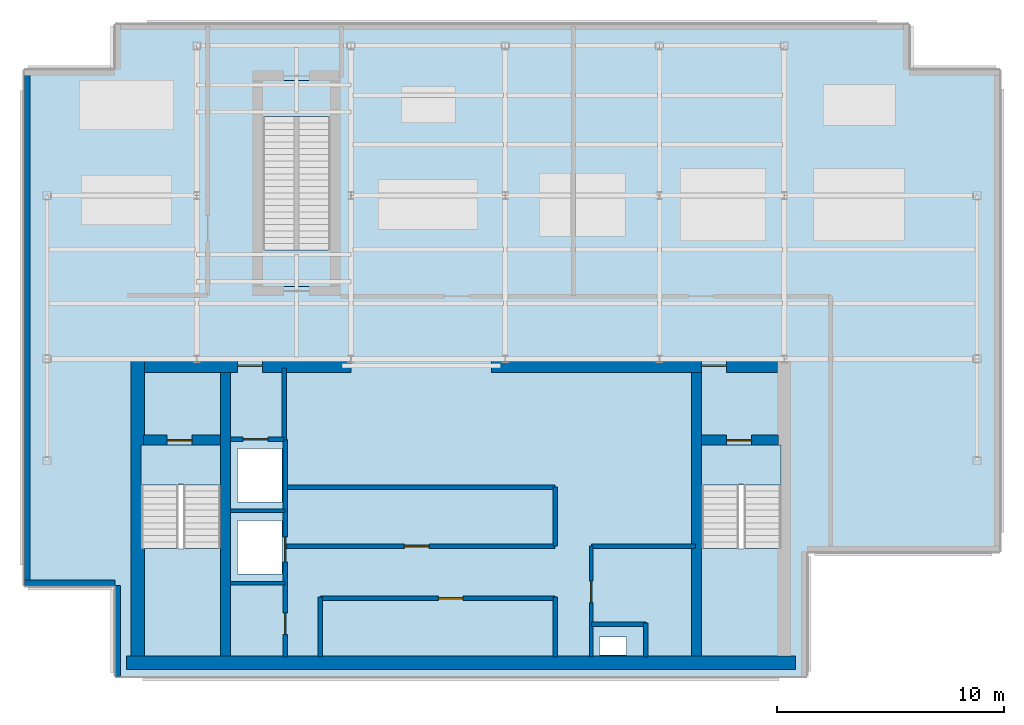
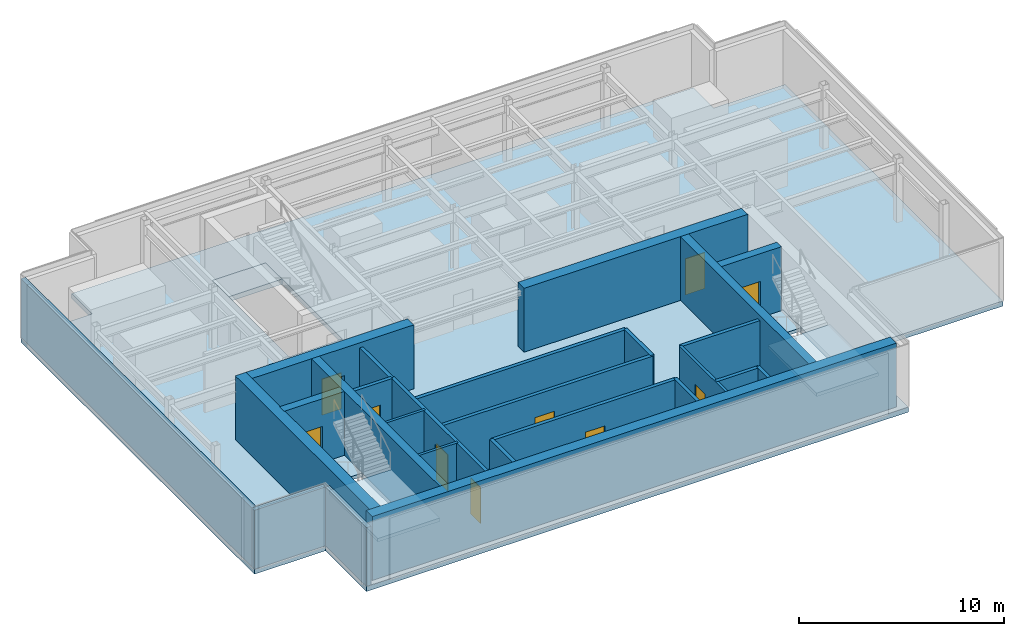
# One storey, part 2 of 7: 26 walls, 10 doors, 7 slabs, 10 openings, 2 elements without a shape of their own.
"""IFC4 building model written with IfcOpenShell, lengths in metres."""

from ifc_helpers import new_model, si_unit, derived_unit, direction, frame, frame_2d, origin, place, context, subcontext, project, spatial, polyline, rectangle, outline, extrude, source, transform, mapped, material, layer, layer_set, type_object, element, fill, aggregate, save


model = new_model("IFC4")

# Units and contexts
model_context = context("Model", 3, precision=1e-05, world=origin(), true_north=direction((0.0, 1.0)))
body_context = subcontext(model_context, "Body", "Model", "MODEL_VIEW")
ifc_project = project(units=[si_unit("LENGTHUNIT", "METRE"), si_unit("AREAUNIT", "SQUARE_METRE"), si_unit("VOLUMEUNIT", "CUBIC_METRE"), si_unit("PLANEANGLEUNIT", "RADIAN"), si_unit("MASSUNIT", "GRAM", prefix="KILO"), derived_unit("THERMALTRANSMITTANCEUNIT", [(si_unit("POWERUNIT", "WATT"), 1), (si_unit("LENGTHUNIT", "METRE"), -2), (si_unit("THERMODYNAMICTEMPERATUREUNIT", "KELVIN"), -1)])], contexts=[model_context])

# Site, building, storey
site_placement = place(None, origin())
site = spatial("IfcSite", under=ifc_project, at=site_placement, CompositionType="ELEMENT")
building_placement = place(site_placement, origin())
building = spatial("IfcBuilding", under=site, at=building_placement, Name="Skarnbrae Concourse Arena and Tower", CompositionType="ELEMENT")
storey_placement = place(building_placement, frame((0.0, 0.0, 296.050048828125)))
storey = spatial("IfcBuildingStorey", under=building, at=storey_placement, Name="L77", CompositionType="ELEMENT", Elevation=296.050048828125)

# Stair, slab
ifc_material_1 = material(Name="Concrete 40 MPa (C40/50)", Category="concrete")
stair_type = type_object("IfcStairType", Name="STAIR-DOGLEG-1650", PredefinedType="HALF_TURN_STAIR", material=ifc_material_1)
stair_1_placement = place(storey_placement, origin())
stair_1 = element("IfcStair", 1, at=stair_1_placement, inside=storey, type_object=stair_type, Name="L77 Protected Exit Stair ST-1", PredefinedType="HALF_TURN_STAIR")
ifc_layer_1 = layer(ifc_material_1, 0.199951171875)
ifc_layer_set_1 = layer_set([ifc_layer_1], Name="Concrete 40 MPa (C40/50)")
slab_type_1 = type_object("IfcSlabType", Name="SLAB-LANDING-200", PredefinedType="LANDING", material=ifc_layer_set_1)
slab_1_placement = place(storey_placement, frame((0.0, 0.0, 1.699951171875)))
slab_1 = element("IfcSlab", 2, at=slab_1_placement, type_object=slab_type_1, Name="ST-1 landing 1", PredefinedType="LANDING", context=body_context, shape_type="SweptSolid", body=[
    extrude(outline(polyline([(5.14990234375, 5.64990234375), (5.14990234375, 0.89990234375), (8.64990234375, 0.89990234375), (8.64990234375, 5.64990234375), (5.14990234375, 5.64990234375)])), origin(), (0.0, 0.0, 1.0), 0.199951171875),
])
aggregate(stair_1, [slab_1])

stair_2_placement = place(storey_placement, origin())
stair_2 = element("IfcStair", 3, at=stair_2_placement, inside=storey, type_object=stair_type, Name="L77 Protected Exit Stair ST-2", PredefinedType="HALF_TURN_STAIR")
slab_2_placement = place(storey_placement, frame((0.0, 0.0, 1.699951171875)))
slab_2 = element("IfcSlab", 4, at=slab_2_placement, type_object=slab_type_1, Name="ST-2 landing 1", PredefinedType="LANDING", context=body_context, shape_type="SweptSolid", body=[
    extrude(outline(polyline([(29.85009765625, 5.64990234375), (29.85009765625, 0.89990234375), (33.35009765625, 0.89990234375), (33.35009765625, 5.64990234375), (29.85009765625, 5.64990234375)])), origin(), (0.0, 0.0, 1.0), 0.199951171875),
])
aggregate(stair_2, [slab_2])

# Slabs
slab_3_placement = place(storey_placement, frame((0.0, 0.0, -0.199951171875)))
element("IfcSlab", 5, at=slab_3_placement, inside=storey, type_object=slab_type_1, Name="L77 Core stair ST1 floor landing", PredefinedType="LANDING", context=body_context, shape_type="SweptSolid", body=[
    extrude(outline(polyline([(5.14990234375, 10.199951171875), (5.14990234375, 8.449951171875), (8.64990234375, 8.449951171875), (8.64990234375, 10.199951171875), (5.14990234375, 10.199951171875)])), origin(), (0.0, 0.0, 1.0), 0.199951171875),
])
slab_4_placement = place(storey_placement, frame((0.0, 0.0, -0.199951171875)))
element("IfcSlab", 6, at=slab_4_placement, inside=storey, type_object=slab_type_1, Name="L77 Core stair ST2 floor landing", PredefinedType="LANDING", context=body_context, shape_type="SweptSolid", body=[
    extrude(outline(polyline([(29.85009765625, 10.199951171875), (29.85009765625, 8.449951171875), (33.35009765625, 8.449951171875), (33.35009765625, 10.199951171875), (29.85009765625, 10.199951171875)])), origin(), (0.0, 0.0, 1.0), 0.199951171875),
])
slab_5_placement = place(storey_placement, frame((0.0, 0.0, -0.300048828125)))
element("IfcSlab", 7, at=slab_5_placement, inside=storey, type_object=slab_type_1, Name="L77 Stair ST-CRWN near floor landing", PredefinedType="LANDING", context=body_context, shape_type="SweptSolid", body=[
    extrude(outline(polyline([(13.5, 17.199951171875), (13.5, 18.800048828125), (10.5, 18.800048828125), (10.5, 17.199951171875), (13.5, 17.199951171875)])), origin(), (0.0, 0.0, 1.0), 0.300048828125),
])
slab_6_placement = place(storey_placement, frame((0.0, 0.0, -0.300048828125)))
element("IfcSlab", 8, at=slab_6_placement, inside=storey, type_object=slab_type_1, Name="L77 Stair ST-CRWN far floor landing", PredefinedType="LANDING", context=body_context, shape_type="SweptSolid", body=[
    extrude(outline(polyline([(13.5, 24.679931640625), (13.5, 26.280029296875), (10.5, 26.280029296875), (10.5, 24.679931640625), (13.5, 24.679931640625)])), origin(), (0.0, 0.0, 1.0), 0.300048828125),
])
ifc_layer_2 = layer(ifc_material_1, 0.300048828125)
ifc_layer_set_2 = layer_set([ifc_layer_2], Name="Concrete 40 MPa (C40/50)")
slab_type_2 = type_object("IfcSlabType", Name="SLAB-PODIUM-300", PredefinedType="FLOOR", material=ifc_layer_set_2)
slab_7_placement = place(storey_placement, frame((0.0, 0.0, -0.300048828125)))
element("IfcSlab", 9, at=slab_7_placement, inside=storey, type_object=slab_type_2, Name="L77 Structural floor slab", PredefinedType="FLOOR", context=body_context, shape_type="SweptSolid", body=[
    extrude(outline(polyline([(4.0, 0.0), (34.5, 0.0), (34.5, 5.5), (43.0, 5.5), (43.0, 26.75), (39.0, 26.75), (39.0, 28.75), (4.0, 28.75), (4.0, 26.75), (0.0, 26.75), (0.0, 4.0), (4.0, 4.0), (4.0, 0.0)]), holes=[polyline([(26.550048828125, 0.949951171875), (25.35009765625, 0.949951171875), (25.35009765625, 1.75), (26.550048828125, 1.75), (26.550048828125, 0.949951171875)]), polyline([(5.14990234375, 10.199951171875), (8.64990234375, 10.199951171875), (8.64990234375, 0.89990234375), (5.14990234375, 0.89990234375), (5.14990234375, 10.199951171875)]), polyline([(29.85009765625, 10.199951171875), (33.35009765625, 10.199951171875), (33.35009765625, 0.89990234375), (29.85009765625, 0.89990234375), (29.85009765625, 10.199951171875)]), polyline([(11.35498046875, 4.52001953125), (9.39501953125, 4.52001953125), (9.39501953125, 6.8798828125), (11.35498046875, 6.8798828125), (11.35498046875, 4.52001953125)]), polyline([(9.39501953125, 7.695068359375), (9.39501953125, 10.054931640625), (11.35498046875, 10.054931640625), (11.35498046875, 7.695068359375), (9.39501953125, 7.695068359375)]), polyline([(13.5, 17.199951171875), (10.5, 17.199951171875), (10.5, 26.280029296875), (13.5, 26.280029296875), (13.5, 17.199951171875)])]), origin(), (0.0, 0.0, 1.0), 0.300048828125),
])

# Walls
ifc_material_2 = material(Name="Concrete 50 MPa (C50/60)", Category="concrete")
ifc_layer_3 = layer(ifc_material_2, 0.60009765625)
ifc_layer_set_3 = layer_set([ifc_layer_3], Name="Concrete 50 MPa (C50/60)")
wall_type_1 = type_object("IfcWallType", Name="WALL-CORE-600-C50", PredefinedType="SHEAR", material=ifc_layer_set_3)
shared_shape_1 = source(origin(), body_context, "Body", "SweptSolid", [
    extrude(rectangle(XDim=29.5, YDim=0.60009765625, at=frame_2d((14.75, 0.0))), origin(), (0.0, 0.0, 1.0), 3.800048828125),
])
wall_1_placement = place(storey_placement, frame((4.5, 0.60009765625, 0.0), z_axis=(0.0, 0.0, 1.0), x_axis=(1.0, 0.0, 0.0)))
element("IfcWall", 10, at=wall_1_placement, inside=storey, type_object=wall_type_1, Name="L77 Rear core shear wall CW-S", PredefinedType="SHEAR", context=body_context, shape_type="MappedRepresentation", body=[
    mapped(shared_shape_1, transform((0.0, 0.0, 0.0))),
])
shared_shape_2 = source(origin(), body_context, "Body", "SweptSolid", [
    extrude(rectangle(XDim=13.10009765625, YDim=0.60009765625, at=frame_2d((6.550048828125, 0.0))), origin(), (0.0, 0.0, 1.0), 3.800048828125),
])
wall_2_placement = place(storey_placement, frame((5.0, 0.89990234375, 0.0), z_axis=(0.0, 0.0, 1.0), x_axis=(0.0, 1.0, 0.0)))
element("IfcWall", 11, at=wall_2_placement, inside=storey, type_object=wall_type_1, Name="L77 Rear core shear wall CW-W", PredefinedType="SHEAR", context=body_context, shape_type="MappedRepresentation", body=[
    mapped(shared_shape_2, transform((0.0, 0.0, 0.0))),
])

# Wall, opening, door
shared_shape_3 = source(origin(), body_context, "Body", "SweptSolid", [
    extrude(rectangle(XDim=9.099853515625, YDim=0.60009765625, at=frame_2d((4.5498046875, 0.0))), origin(), (0.0, 0.0, 1.0), 3.800048828125),
])
wall_3_placement = place(storey_placement, frame((5.300048828125, 13.699951171875, 0.0), z_axis=(0.0, 0.0, 1.0), x_axis=(1.0, 0.0, 0.0)))
wall_3 = element("IfcWall", 12, at=wall_3_placement, inside=storey, type_object=wall_type_1, Name="L77 Rear core shear wall CW-NW", PredefinedType="SHEAR", context=body_context, shape_type="MappedRepresentation", body=[
    mapped(shared_shape_3, transform((0.0, 0.0, 0.0))),
])
opening_1_placement = place(wall_3_placement, frame((4.10009765625, 0.0, 0.0)))
opening_1 = element("IfcOpeningElement", 13, at=opening_1_placement, cuts=wall_3, Name="Opening DT-03", PredefinedType="OPENING", context=body_context, shape_type="SweptSolid", body=[
    extrude(rectangle(XDim=1.10009765625, YDim=2.14990234375, at=frame_2d((0.550048828125, 1.074951171875))), frame((0.0, 0.31005859375, 0.0), z_axis=(0.0, -1.0, 0.0), x_axis=(1.0, 0.0, 0.0)), (0.0, 0.0, 1.0), 0.6201171875),
])
ifc_material_3 = material(Name="Steel CSA G40.21 350W", Category="steel")
door_type_1 = type_object("IfcDoorType", Name="DOOR-FIRE-1100-90M", OperationType="NOTDEFINED", PredefinedType="DOOR", material=ifc_material_3)
shared_shape_4 = source(origin(), body_context, "Body", "SweptSolid", [
    extrude(rectangle(XDim=1.10009765625, YDim=2.14990234375, at=frame_2d((0.550048828125, 1.074951171875))), frame((0.0, 0.02490234375, 0.0), z_axis=(0.0, -1.0, 0.0), x_axis=(1.0, 0.0, 0.0)), (0.0, 0.0, 1.0), 0.050048828125),
])
door_1_placement = place(opening_1_placement, origin())
door_1 = element("IfcDoor", 14, at=door_1_placement, inside=storey, type_object=door_type_1, Name="D-2310 Firefighting Lobby Exit Door", OperationType="SINGLE_SWING_RIGHT", OverallHeight=2.14990234375, OverallWidth=1.10009765625, PredefinedType="DOOR", context=body_context, shape_type="MappedRepresentation", body=[
    mapped(shared_shape_4, transform((0.0, 0.0, 0.0))),
])
fill(opening_1, door_1)

shared_shape_5 = source(origin(), body_context, "Body", "SweptSolid", [
    extrude(rectangle(XDim=12.599853515625, YDim=0.60009765625, at=frame_2d((6.2998046875, 0.0))), origin(), (0.0, 0.0, 1.0), 3.800048828125),
])
wall_4_placement = place(storey_placement, frame((20.60009765625, 13.699951171875, 0.0), z_axis=(0.0, 0.0, 1.0), x_axis=(1.0, 0.0, 0.0)))
wall_4 = element("IfcWall", 15, at=wall_4_placement, inside=storey, type_object=wall_type_1, Name="L77 Rear core shear wall CW-NE", PredefinedType="SHEAR", context=body_context, shape_type="MappedRepresentation", body=[
    mapped(shared_shape_5, transform((0.0, 0.0, 0.0))),
])
opening_2_placement = place(wall_4_placement, frame((9.25, 0.0, 0.0)))
opening_2 = element("IfcOpeningElement", 16, at=opening_2_placement, cuts=wall_4, Name="Opening DT-03", PredefinedType="OPENING", context=body_context, shape_type="SweptSolid", body=[
    extrude(rectangle(XDim=1.10009765625, YDim=2.14990234375, at=frame_2d((0.550048828125, 1.074951171875))), frame((0.0, 0.31005859375, 0.0), z_axis=(0.0, -1.0, 0.0), x_axis=(1.0, 0.0, 0.0)), (0.0, 0.0, 1.0), 0.6201171875),
])
door_2_placement = place(opening_2_placement, origin())
door_2 = element("IfcDoor", 17, at=door_2_placement, inside=storey, type_object=door_type_1, Name="D-2311 Stair ST-2 Vestibule Door", OperationType="SINGLE_SWING_LEFT", OverallHeight=2.14990234375, OverallWidth=1.10009765625, PredefinedType="DOOR", context=body_context, shape_type="MappedRepresentation", body=[
    mapped(shared_shape_4, transform((0.0, 0.0, 0.0))),
])
fill(opening_2, door_2)

# Walls
ifc_layer_4 = layer(ifc_material_2, 0.449951171875)
ifc_layer_set_4 = layer_set([ifc_layer_4], Name="Concrete 50 MPa (C50/60)")
wall_type_2 = type_object("IfcWallType", Name="WALL-CORE-450-C50", PredefinedType="SHEAR", material=ifc_layer_set_4)
shared_shape_6 = source(origin(), body_context, "Body", "SweptSolid", [
    extrude(rectangle(XDim=12.5, YDim=0.449951171875, at=frame_2d((6.25, 0.0))), origin(), (0.0, 0.0, 1.0), 3.800048828125),
])
for number, where, z_axis, x_axis, name in (
    (18, (8.864990234375, 0.89990234375, 0.0), (0.0, 0.0, 1.0), (0.0, 1.0, 0.0), "L77 Rear core shear wall CW-WEB-W"),
    (19, (29.635009765625, 0.89990234375, 0.0), (0.0, 0.0, 1.0), (0.0, 1.0, 0.0), "L77 Rear core shear wall CW-WEB-E"),
):
    element("IfcWall", number, at=place(storey_placement, frame(where, z_axis=z_axis, x_axis=x_axis)), inside=storey, type_object=wall_type_2, Name=name, PredefinedType="SHEAR", context=body_context, shape_type="MappedRepresentation", body=[
        mapped(shared_shape_6, transform((0.0, 0.0, 0.0))),
    ])

# Wall, opening, door
shared_shape_7 = source(origin(), body_context, "Body", "SweptSolid", [
    extrude(rectangle(XDim=3.389892578125, YDim=0.449951171875, at=frame_2d((1.69482421875, 0.0))), origin(), (0.0, 0.0, 1.0), 3.800048828125),
])
wall_5_placement = place(storey_placement, frame((5.25, 10.419921875, 0.0), z_axis=(0.0, 0.0, 1.0), x_axis=(1.0, 0.0, 0.0)))
wall_5 = element("IfcWall", 20, at=wall_5_placement, inside=storey, type_object=wall_type_2, Name="L77 Rear core shear wall CW-ST1-N", PredefinedType="SHEAR", context=body_context, shape_type="MappedRepresentation", body=[
    mapped(shared_shape_7, transform((0.0, 0.0, 0.0))),
])
opening_3_placement = place(wall_5_placement, frame((1.050048828125, 0.0, 0.0)))
opening_3 = element("IfcOpeningElement", 21, at=opening_3_placement, cuts=wall_5, Name="Opening DT-03", PredefinedType="OPENING", context=body_context, shape_type="SweptSolid", body=[
    extrude(rectangle(XDim=1.10009765625, YDim=2.14990234375, at=frame_2d((0.550048828125, 1.074951171875))), frame((0.0, 0.23486328125, 0.0), z_axis=(0.0, -1.0, 0.0), x_axis=(1.0, 0.0, 0.0)), (0.0, 0.0, 1.0), 0.469970703125),
])
door_3_placement = place(opening_3_placement, frame((1.10009765625, 0.0, 0.0), z_axis=(0.0, 0.0, 1.0), x_axis=(-1.0, 0.0, 0.0)))
door_3 = element("IfcDoor", 22, at=door_3_placement, inside=storey, type_object=door_type_1, Name="D-2308 Stair ST-1 Door", OperationType="SINGLE_SWING_LEFT", OverallHeight=2.14990234375, OverallWidth=1.10009765625, PredefinedType="DOOR", context=body_context, shape_type="MappedRepresentation", body=[
    mapped(shared_shape_4, transform((0.0, 0.0, 0.0))),
])
fill(opening_3, door_3)

wall_6_placement = place(storey_placement, frame((29.860107421875, 10.419921875, 0.0), z_axis=(0.0, 0.0, 1.0), x_axis=(1.0, 0.0, 0.0)))
wall_6 = element("IfcWall", 23, at=wall_6_placement, inside=storey, type_object=wall_type_2, Name="L77 Rear core shear wall CW-ST2-N", PredefinedType="SHEAR", context=body_context, shape_type="MappedRepresentation", body=[
    mapped(shared_shape_7, transform((0.0, 0.0, 0.0))),
])
opening_4_placement = place(wall_6_placement, frame((1.10009765625, 0.0, 0.0)))
opening_4 = element("IfcOpeningElement", 24, at=opening_4_placement, cuts=wall_6, Name="Opening DT-03", PredefinedType="OPENING", context=body_context, shape_type="SweptSolid", body=[
    extrude(rectangle(XDim=1.10009765625, YDim=2.14990234375, at=frame_2d((0.550048828125, 1.074951171875))), frame((0.0, 0.23486328125, 0.0), z_axis=(0.0, -1.0, 0.0), x_axis=(1.0, 0.0, 0.0)), (0.0, 0.0, 1.0), 0.469970703125),
])
door_4_placement = place(opening_4_placement, frame((1.10009765625, 0.0, 0.0), z_axis=(0.0, 0.0, 1.0), x_axis=(-1.0, 0.0, 0.0)))
door_4 = element("IfcDoor", 25, at=door_4_placement, inside=storey, type_object=door_type_1, Name="D-2309 Stair ST-2 Door", OperationType="SINGLE_SWING_RIGHT", OverallHeight=2.14990234375, OverallWidth=1.10009765625, PredefinedType="DOOR", context=body_context, shape_type="MappedRepresentation", body=[
    mapped(shared_shape_4, transform((0.0, 0.0, 0.0))),
])
fill(opening_4, door_4)

# Walls
ifc_material_4 = material(Name="Precast concrete 40 MPa (C40/50)", Category="concrete")
ifc_layer_5 = layer(ifc_material_4, 0.25)
ifc_layer_set_5 = layer_set([ifc_layer_5], Name="Precast concrete 40 MPa (C40/50)")
wall_type_3 = type_object("IfcWallType", Name="WALL-CROWN-BRONZE-250", PredefinedType="STANDARD", material=ifc_layer_set_5)
shared_shape_8 = source(origin(), body_context, "Body", "SweptSolid", [
    extrude(rectangle(XDim=4.0, YDim=0.25, at=frame_2d((2.0, 0.0))), origin(), (0.0, 0.0, 1.0), 3.5),
])
for number, where, z_axis, x_axis, name in (
    (26, (0.0, 4.125, 0.0), (0.0, 0.0, 1.0), (1.0, 0.0, 0.0), "L77 Crown enclosure wall 11"),
    (27, (4.125, 4.0, 0.0), (0.0, 0.0, 1.0), (0.0, -1.0, 0.0), "L77 Crown enclosure wall 12"),
):
    element("IfcWall", number, at=place(storey_placement, frame(where, z_axis=z_axis, x_axis=x_axis)), inside=storey, type_object=wall_type_3, Name=name, PredefinedType="STANDARD", context=body_context, shape_type="MappedRepresentation", body=[
        mapped(shared_shape_8, transform((0.0, 0.0, 0.0))),
    ])
shared_shape_9 = source(origin(), body_context, "Body", "SweptSolid", [
    extrude(rectangle(XDim=22.75, YDim=0.25, at=frame_2d((11.375, 0.0))), origin(), (0.0, 0.0, 1.0), 3.5),
])
wall_7_placement = place(storey_placement, frame((0.125, 26.75, 0.0), z_axis=(0.0, 0.0, 1.0), x_axis=(0.0, -1.0, 0.0)))
element("IfcWall", 28, at=wall_7_placement, inside=storey, type_object=wall_type_3, Name="L77 Crown enclosure wall 10", PredefinedType="STANDARD", context=body_context, shape_type="MappedRepresentation", body=[
    mapped(shared_shape_9, transform((0.0, 0.0, 0.0))),
])
ifc_material_5 = material(Name="Gypsum board on cold-formed steel studs", Category="steel")
ifc_layer_6 = layer(ifc_material_5, 0.199951171875)
ifc_layer_set_6 = layer_set([ifc_layer_6], Name="Gypsum board on cold-formed steel studs")
wall_type_4 = type_object("IfcWallType", Name="WALL-PART-200-2HR", PredefinedType="PARTITIONING", material=ifc_layer_set_6)
shared_shape_10 = source(origin(), body_context, "Body", "SweptSolid", [
    extrude(rectangle(XDim=3.18017578125, YDim=0.199951171875, at=frame_2d((1.590087890625, 0.0))), origin(), (0.0, 0.0, 1.0), 3.5),
])
wall_8_placement = place(storey_placement, frame((11.449951171875, 10.419921875, 0.0), z_axis=(0.0, 0.0, 1.0), x_axis=(0.0, 1.0, 0.0)))
element("IfcWall", 29, at=wall_8_placement, inside=storey, type_object=wall_type_4, Name="L77 Interior partition wall W-L77-FFL-E", PredefinedType="PARTITIONING", context=body_context, shape_type="MappedRepresentation", body=[
    mapped(shared_shape_10, transform((0.0, 0.0, 0.0))),
])

# Wall, opening, door
shared_shape_11 = source(origin(), body_context, "Body", "SweptSolid", [
    extrude(rectangle(XDim=2.349853515625, YDim=0.199951171875, at=frame_2d((1.1748046875, 0.0))), origin(), (0.0, 0.0, 1.0), 3.5),
])
wall_9_placement = place(storey_placement, frame((9.10009765625, 10.449951171875, 0.0), z_axis=(0.0, 0.0, 1.0), x_axis=(1.0, 0.0, 0.0)))
wall_9 = element("IfcWall", 30, at=wall_9_placement, inside=storey, type_object=wall_type_4, Name="L77 Interior partition wall W-L77-FL1-N", PredefinedType="PARTITIONING", context=body_context, shape_type="MappedRepresentation", body=[
    mapped(shared_shape_11, transform((0.0, 0.0, 0.0))),
])
opening_5_placement = place(wall_9_placement, frame((0.550048828125, 0.0, 0.0)))
opening_5 = element("IfcOpeningElement", 31, at=opening_5_placement, cuts=wall_9, Name="Opening LD-01", PredefinedType="OPENING", context=body_context, shape_type="SweptSolid", body=[
    extrude(rectangle(XDim=1.10009765625, YDim=2.14990234375, at=frame_2d((0.550048828125, 1.074951171875))), frame((0.0, 0.10986328125, 0.0), z_axis=(0.0, -1.0, 0.0), x_axis=(1.0, 0.0, 0.0)), (0.0, 0.0, 1.0), 0.219970703125),
])
door_type_2 = type_object("IfcDoorType", Name="DOOR-LIFT-SLIDE-1100", OperationType="SLIDING_TO_LEFT", PredefinedType="DOOR", material=ifc_material_3)
door_5_placement = place(opening_5_placement, origin())
door_5 = element("IfcDoor", 32, at=door_5_placement, inside=storey, type_object=door_type_2, Name="D-2312 Firefighting Lift Landing Door FL-01", OperationType="SLIDING_TO_LEFT", OverallHeight=2.14990234375, OverallWidth=1.10009765625, PredefinedType="DOOR", context=body_context, shape_type="MappedRepresentation", body=[
    mapped(shared_shape_4, transform((0.0, 0.0, 0.0))),
])
fill(opening_5, door_5)

# Wall, openings, doors
shared_shape_12 = source(origin(), body_context, "Body", "SweptSolid", [
    extrude(rectangle(XDim=9.599853515625, YDim=0.199951171875, at=frame_2d((4.7998046875, 0.0))), origin(), (0.0, 0.0, 1.0), 3.5),
])
wall_10_placement = place(storey_placement, frame((11.5, 0.85009765625, 0.0), z_axis=(0.0, 0.0, 1.0), x_axis=(0.0, 1.0, 0.0)))
wall_10 = element("IfcWall", 33, at=wall_10_placement, inside=storey, type_object=wall_type_4, Name="L77 Interior partition wall W-L77-FL-E", PredefinedType="PARTITIONING", context=body_context, shape_type="MappedRepresentation", body=[
    mapped(shared_shape_12, transform((0.0, 0.0, 0.0))),
])
opening_6_placement = place(wall_10_placement, frame((4.199951171875, 0.0, 0.0)))
opening_6 = element("IfcOpeningElement", 34, at=opening_6_placement, cuts=wall_10, Name="Opening LD-01", PredefinedType="OPENING", context=body_context, shape_type="SweptSolid", body=[
    extrude(rectangle(XDim=1.10009765625, YDim=2.14990234375, at=frame_2d((0.550048828125, 1.074951171875))), frame((0.0, 0.10986328125, 0.0), z_axis=(0.0, -1.0, 0.0), x_axis=(1.0, 0.0, 0.0)), (0.0, 0.0, 1.0), 0.219970703125),
])
opening_7_placement = place(wall_10_placement, frame((1.0, 0.0, 0.0)))
opening_7 = element("IfcOpeningElement", 35, at=opening_7_placement, cuts=wall_10, Name="Opening DT-04", PredefinedType="OPENING", context=body_context, shape_type="SweptSolid", body=[
    extrude(rectangle(XDim=0.949951171875, YDim=2.14990234375, at=frame_2d((0.47509765625, 1.074951171875))), frame((0.0, 0.10986328125, 0.0), z_axis=(0.0, -1.0, 0.0), x_axis=(1.0, 0.0, 0.0)), (0.0, 0.0, 1.0), 0.219970703125),
])
door_6_placement = place(opening_6_placement, frame((1.10009765625, 0.0, 0.0), z_axis=(0.0, 0.0, 1.0), x_axis=(-1.0, 0.0, 0.0)))
door_6 = element("IfcDoor", 36, at=door_6_placement, inside=storey, type_object=door_type_2, Name="D-2313 Firefighting Lift Landing Door FL-02", OperationType="SLIDING_TO_LEFT", OverallHeight=2.14990234375, OverallWidth=1.10009765625, PredefinedType="DOOR", context=body_context, shape_type="MappedRepresentation", body=[
    mapped(shared_shape_4, transform((0.0, 0.0, 0.0))),
])
fill(opening_6, door_6)
door_type_3 = type_object("IfcDoorType", Name="DOOR-INT-950-45M", OperationType="NOTDEFINED", PredefinedType="DOOR", material=ifc_material_3)
shared_shape_13 = source(origin(), body_context, "Body", "SweptSolid", [
    extrude(rectangle(XDim=0.949951171875, YDim=2.14990234375, at=frame_2d((0.47509765625, 1.074951171875))), frame((0.0, 0.02490234375, 0.0), z_axis=(0.0, -1.0, 0.0), x_axis=(1.0, 0.0, 0.0)), (0.0, 0.0, 1.0), 0.050048828125),
])
door_7_placement = place(opening_7_placement, frame((0.949951171875, 0.0, 0.0), z_axis=(0.0, 0.0, 1.0), x_axis=(-1.0, 0.0, 0.0)))
door_7 = element("IfcDoor", 37, at=door_7_placement, inside=storey, type_object=door_type_3, Name="D-2314 Crown Exhaust Plant Door", OperationType="SINGLE_SWING_RIGHT", OverallHeight=2.14990234375, OverallWidth=0.949951171875, PredefinedType="DOOR", context=body_context, shape_type="MappedRepresentation", body=[
    mapped(shared_shape_13, transform((0.0, 0.0, 0.0))),
])
fill(opening_7, door_7)

# Walls
ifc_layer_7 = layer(ifc_material_5, 0.14990234375)
ifc_layer_set_7 = layer_set([ifc_layer_7], Name="Gypsum board on cold-formed steel studs")
wall_type_5 = type_object("IfcWallType", Name="WALL-PART-150", PredefinedType="PARTITIONING", material=ifc_layer_set_7)
shared_shape_14 = source(origin(), body_context, "Body", "SweptSolid", [
    extrude(rectangle(XDim=2.39990234375, YDim=0.14990234375, at=frame_2d((1.199951171875, 0.0))), origin(), (0.0, 0.0, 1.0), 3.5),
])
for number, where, z_axis, x_axis, name in (
    (38, (9.10009765625, 4.10009765625, 0.0), (0.0, 0.0, 1.0), (1.0, 0.0, 0.0), "L77 Interior partition wall W-L77-FL-D1"),
    (39, (9.10009765625, 7.300048828125, 0.0), (0.0, 0.0, 1.0), (1.0, 0.0, 0.0), "L77 Interior partition wall W-L77-FL-D2"),
):
    element("IfcWall", number, at=place(storey_placement, frame(where, z_axis=z_axis, x_axis=x_axis)), inside=storey, type_object=wall_type_5, Name=name, PredefinedType="PARTITIONING", context=body_context, shape_type="MappedRepresentation", body=[
        mapped(shared_shape_14, transform((0.0, 0.0, 0.0))),
    ])
shared_shape_15 = source(origin(), body_context, "Body", "SweptSolid", [
    extrude(rectangle(XDim=2.64990234375, YDim=0.199951171875, at=frame_2d((1.324951171875, 0.0))), origin(), (0.0, 0.0, 1.0), 3.5),
])
for number, where, z_axis, x_axis, name in (
    (40, (13.050048828125, 0.85009765625, 0.0), (0.0, 0.0, 1.0), (0.0, 1.0, 0.0), "L77 Interior partition wall W-L77-B1B-W"),
    (41, (23.39990234375, 0.85009765625, 0.0), (0.0, 0.0, 1.0), (0.0, 1.0, 0.0), "L77 Interior partition wall W-L77-B1B-E"),
):
    element("IfcWall", number, at=place(storey_placement, frame(where, z_axis=z_axis, x_axis=x_axis)), inside=storey, type_object=wall_type_4, Name=name, PredefinedType="PARTITIONING", context=body_context, shape_type="MappedRepresentation", body=[
        mapped(shared_shape_15, transform((0.0, 0.0, 0.0))),
    ])

# Wall, opening, door
shared_shape_16 = source(origin(), body_context, "Body", "SweptSolid", [
    extrude(rectangle(XDim=10.349853515625, YDim=0.199951171875, at=frame_2d((5.1748046875, 0.0))), origin(), (0.0, 0.0, 1.0), 3.5),
])
wall_11_placement = place(storey_placement, frame((13.050048828125, 3.449951171875, 0.0), z_axis=(0.0, 0.0, 1.0), x_axis=(1.0, 0.0, 0.0)))
wall_11 = element("IfcWall", 42, at=wall_11_placement, inside=storey, type_object=wall_type_4, Name="L77 Interior partition wall W-L77-B1B-N", PredefinedType="PARTITIONING", context=body_context, shape_type="MappedRepresentation", body=[
    mapped(shared_shape_16, transform((0.0, 0.0, 0.0))),
])
opening_8_placement = place(wall_11_placement, frame((5.199951171875, 0.0, 0.0)))
opening_8 = element("IfcOpeningElement", 43, at=opening_8_placement, cuts=wall_11, Name="Opening DT-03", PredefinedType="OPENING", context=body_context, shape_type="SweptSolid", body=[
    extrude(rectangle(XDim=1.10009765625, YDim=2.14990234375, at=frame_2d((0.550048828125, 1.074951171875))), frame((0.0, 0.10986328125, 0.0), z_axis=(0.0, -1.0, 0.0), x_axis=(1.0, 0.0, 0.0)), (0.0, 0.0, 1.0), 0.219970703125),
])
door_8_placement = place(opening_8_placement, origin())
door_8 = element("IfcDoor", 44, at=door_8_placement, inside=storey, type_object=door_type_1, Name="D-2315 Core Plant Door", OperationType="SINGLE_SWING_LEFT", OverallHeight=2.14990234375, OverallWidth=1.10009765625, PredefinedType="DOOR", context=body_context, shape_type="MappedRepresentation", body=[
    mapped(shared_shape_4, transform((0.0, 0.0, 0.0))),
])
fill(opening_8, door_8)

shared_shape_17 = source(origin(), body_context, "Body", "SweptSolid", [
    extrude(rectangle(XDim=11.849853515625, YDim=0.199951171875, at=frame_2d((5.9248046875, 0.0))), origin(), (0.0, 0.0, 1.0), 3.5),
])
wall_12_placement = place(storey_placement, frame((11.550048828125, 5.75, 0.0), z_axis=(0.0, 0.0, 1.0), x_axis=(1.0, 0.0, 0.0)))
wall_12 = element("IfcWall", 45, at=wall_12_placement, inside=storey, type_object=wall_type_4, Name="L77 Interior partition wall W-L77-B2B-S", PredefinedType="PARTITIONING", context=body_context, shape_type="MappedRepresentation", body=[
    mapped(shared_shape_17, transform((0.0, 0.0, 0.0))),
])
opening_9_placement = place(wall_12_placement, frame((5.199951171875, 0.0, 0.0)))
opening_9 = element("IfcOpeningElement", 46, at=opening_9_placement, cuts=wall_12, Name="Opening DT-03", PredefinedType="OPENING", context=body_context, shape_type="SweptSolid", body=[
    extrude(rectangle(XDim=1.10009765625, YDim=2.14990234375, at=frame_2d((0.550048828125, 1.074951171875))), frame((0.0, 0.10986328125, 0.0), z_axis=(0.0, -1.0, 0.0), x_axis=(1.0, 0.0, 0.0)), (0.0, 0.0, 1.0), 0.219970703125),
])
door_9_placement = place(opening_9_placement, frame((1.10009765625, 0.0, 0.0), z_axis=(0.0, 0.0, 1.0), x_axis=(-1.0, 0.0, 0.0)))
door_9 = element("IfcDoor", 47, at=door_9_placement, inside=storey, type_object=door_type_1, Name="D-2316 Core Machine Room Door", OperationType="SINGLE_SWING_RIGHT", OverallHeight=2.14990234375, OverallWidth=1.10009765625, PredefinedType="DOOR", context=body_context, shape_type="MappedRepresentation", body=[
    mapped(shared_shape_4, transform((0.0, 0.0, 0.0))),
])
fill(opening_9, door_9)

# Walls
wall_13_placement = place(storey_placement, frame((11.550048828125, 8.35009765625, 0.0), z_axis=(0.0, 0.0, 1.0), x_axis=(1.0, 0.0, 0.0)))
element("IfcWall", 48, at=wall_13_placement, inside=storey, type_object=wall_type_4, Name="L77 Interior partition wall W-L77-B2B-N", PredefinedType="PARTITIONING", context=body_context, shape_type="MappedRepresentation", body=[
    mapped(shared_shape_17, transform((0.0, 0.0, 0.0))),
])
shared_shape_18 = source(origin(), body_context, "Body", "SweptSolid", [
    extrude(rectangle(XDim=2.60009765625, YDim=0.199951171875, at=frame_2d((1.300048828125, 0.0))), origin(), (0.0, 0.0, 1.0), 3.5),
])
wall_14_placement = place(storey_placement, frame((23.39990234375, 5.75, 0.0), z_axis=(0.0, 0.0, 1.0), x_axis=(0.0, 1.0, 0.0)))
element("IfcWall", 49, at=wall_14_placement, inside=storey, type_object=wall_type_4, Name="L77 Interior partition wall W-L77-B2B-E", PredefinedType="PARTITIONING", context=body_context, shape_type="MappedRepresentation", body=[
    mapped(shared_shape_18, transform((0.0, 0.0, 0.0))),
])

# Wall, opening, door
ifc_layer_8 = layer(ifc_material_5, 0.14990234375)
ifc_layer_set_8 = layer_set([ifc_layer_8], Name="Gypsum board on cold-formed steel studs")
wall_type_6 = type_object("IfcWallType", Name="WALL-PART-150-1HR", PredefinedType="PARTITIONING", material=ifc_layer_set_8)
shared_shape_19 = source(origin(), body_context, "Body", "SweptSolid", [
    extrude(rectangle(XDim=4.89990234375, YDim=0.14990234375, at=frame_2d((2.449951171875, 0.0))), origin(), (0.0, 0.0, 1.0), 3.5),
])
wall_15_placement = place(storey_placement, frame((25.0, 0.85009765625, 0.0), z_axis=(0.0, 0.0, 1.0), x_axis=(0.0, 1.0, 0.0)))
wall_15 = element("IfcWall", 50, at=wall_15_placement, inside=storey, type_object=wall_type_6, Name="L77 Interior partition wall W-L77-CSV-W", PredefinedType="PARTITIONING", context=body_context, shape_type="MappedRepresentation", body=[
    mapped(shared_shape_19, transform((0.0, 0.0, 0.0))),
])
opening_10_placement = place(wall_15_placement, frame((2.39990234375, 0.0, 0.0)))
opening_10 = element("IfcOpeningElement", 51, at=opening_10_placement, cuts=wall_15, Name="Opening DT-04", PredefinedType="OPENING", context=body_context, shape_type="SweptSolid", body=[
    extrude(rectangle(XDim=0.949951171875, YDim=2.14990234375, at=frame_2d((0.47509765625, 1.074951171875))), frame((0.0, 0.0849609375, 0.0), z_axis=(0.0, -1.0, 0.0), x_axis=(1.0, 0.0, 0.0)), (0.0, 0.0, 1.0), 0.169921875),
])
door_10_placement = place(opening_10_placement, origin())
door_10 = element("IfcDoor", 52, at=door_10_placement, inside=storey, type_object=door_type_3, Name="D-2317 Core Riser Plant Door", OperationType="SINGLE_SWING_LEFT", OverallHeight=2.14990234375, OverallWidth=0.949951171875, PredefinedType="DOOR", context=body_context, shape_type="MappedRepresentation", body=[
    mapped(shared_shape_13, transform((0.0, 0.0, 0.0))),
])
fill(opening_10, door_10)

# Walls
shared_shape_20 = source(origin(), body_context, "Body", "SweptSolid", [
    extrude(rectangle(XDim=2.39990234375, YDim=0.199951171875, at=frame_2d((1.199951171875, 0.0))), origin(), (0.0, 0.0, 1.0), 3.5),
])
wall_16_placement = place(storey_placement, frame((25.0, 2.300048828125, 0.0), z_axis=(0.0, 0.0, 1.0), x_axis=(1.0, 0.0, 0.0)))
element("IfcWall", 53, at=wall_16_placement, inside=storey, type_object=wall_type_4, Name="L77 Interior partition wall W-L77-MEP-N", PredefinedType="PARTITIONING", context=body_context, shape_type="MappedRepresentation", body=[
    mapped(shared_shape_20, transform((0.0, 0.0, 0.0))),
])
shared_shape_21 = source(origin(), body_context, "Body", "SweptSolid", [
    extrude(rectangle(XDim=1.5, YDim=0.199951171875, at=frame_2d((0.75, 0.0))), origin(), (0.0, 0.0, 1.0), 3.5),
])
wall_17_placement = place(storey_placement, frame((27.39990234375, 0.85009765625, 0.0), z_axis=(0.0, 0.0, 1.0), x_axis=(0.0, 1.0, 0.0)))
element("IfcWall", 54, at=wall_17_placement, inside=storey, type_object=wall_type_4, Name="L77 Interior partition wall W-L77-MEP-E", PredefinedType="PARTITIONING", context=body_context, shape_type="MappedRepresentation", body=[
    mapped(shared_shape_21, transform((0.0, 0.0, 0.0))),
])
shared_shape_22 = source(origin(), body_context, "Body", "SweptSolid", [
    extrude(rectangle(XDim=4.60009765625, YDim=0.199951171875, at=frame_2d((2.300048828125, 0.0))), origin(), (0.0, 0.0, 1.0), 3.5),
])
wall_18_placement = place(storey_placement, frame((25.0, 5.75, 0.0), z_axis=(0.0, 0.0, 1.0), x_axis=(1.0, 0.0, 0.0)))
element("IfcWall", 55, at=wall_18_placement, inside=storey, type_object=wall_type_4, Name="L77 Interior partition wall W-L77-CSV-N", PredefinedType="PARTITIONING", context=body_context, shape_type="MappedRepresentation", body=[
    mapped(shared_shape_22, transform((0.0, 0.0, 0.0))),
])

save(model, "model.ifc")
